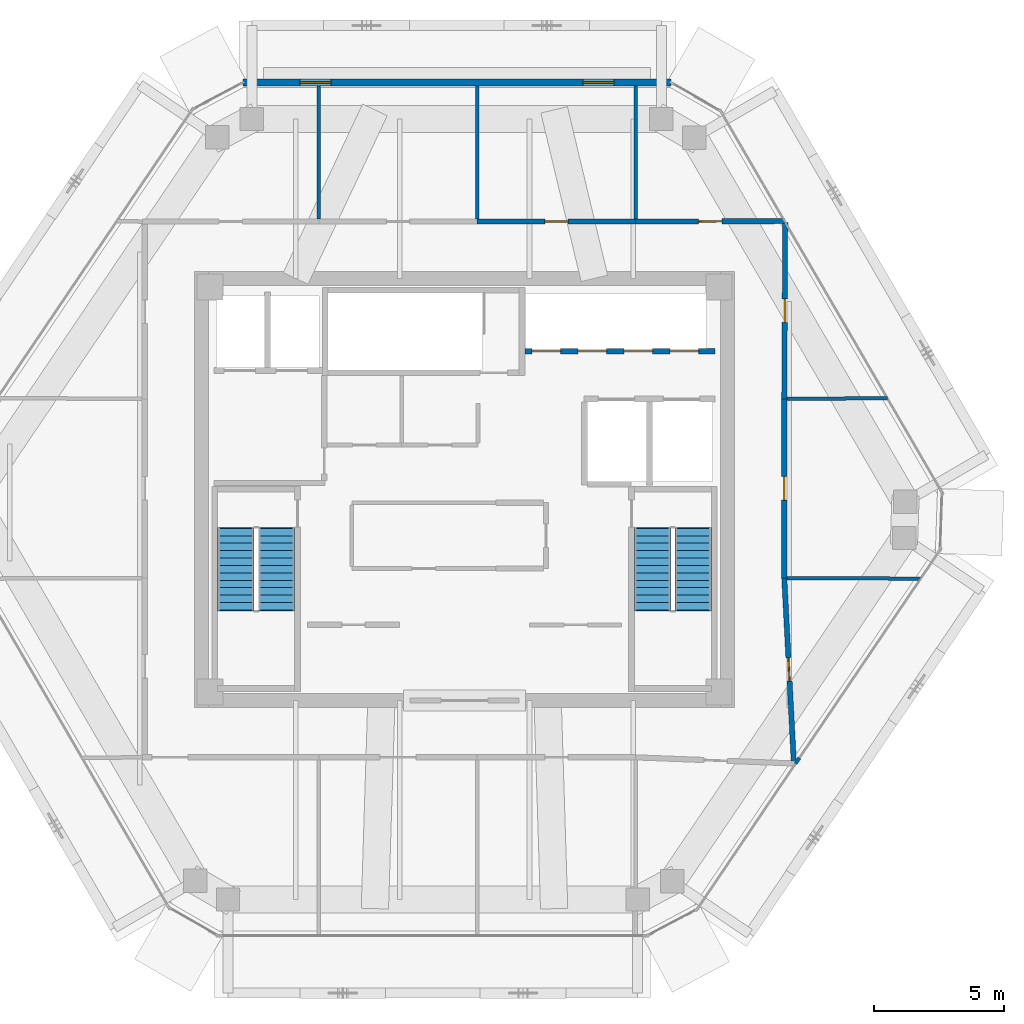
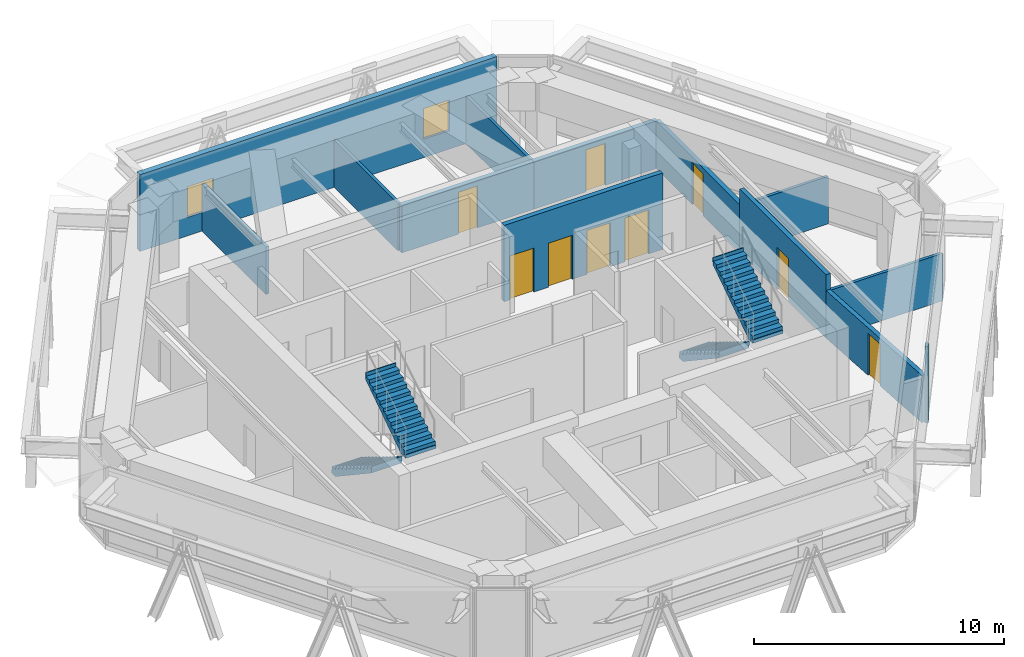
# One storey, part 12 of 13: 13 walls, 9 doors, 4 stair flights, 2 windows, 11 openings, 2 elements without a shape of their own.
"""IFC4 building model written with IfcOpenShell, lengths in metres."""

from ifc_helpers import new_model, si_unit, direction, frame, frame_2d, origin, place, context, subcontext, project, spatial, polyline, rectangle, outline, extrude, source, transform, mapped, material, layer, layer_set, type_object, type_shapes, element, fill, aggregate, save


model = new_model("IFC4")

# Units and contexts
model_context = context("Model", 3, precision=1e-05, world=origin(), true_north=direction((0.0, 1.0)))
body_context = subcontext(model_context, "Body", "Model", "MODEL_VIEW")
ifc_project = project(units=[si_unit("LENGTHUNIT", "METRE"), si_unit("AREAUNIT", "SQUARE_METRE"), si_unit("VOLUMEUNIT", "CUBIC_METRE"), si_unit("PLANEANGLEUNIT", "RADIAN"), si_unit("MASSUNIT", "GRAM", prefix="KILO")], contexts=[model_context])

# Site, building, storey
site_placement = place(None, origin())
site = spatial("IfcSite", under=ifc_project, at=site_placement, CompositionType="ELEMENT")
building_placement = place(site_placement, origin())
building = spatial("IfcBuilding", under=site, at=building_placement, Name="Durnholm Broadcast Tower", CompositionType="ELEMENT")
storey_placement = place(building_placement, frame((0.0, 0.0, 268.300048828125)))
storey = spatial("IfcBuildingStorey", under=building, at=storey_placement, Name="L75", CompositionType="ELEMENT", Elevation=268.300048828125)

# Wall, openings, windows
ifc_material_1 = material(Name="Precast Concrete C45/55", Category="concrete")
ifc_layer_1 = layer(ifc_material_1, 0.260009765625)
ifc_layer_set_1 = layer_set([ifc_layer_1], Name="Precast Concrete C45/55")
wall_type_1 = type_object("IfcWallType", Name="WALL-EXT-260", PredefinedType="SOLIDWALL", material=ifc_layer_set_1)
wall_1_placement = place(storey_placement, frame((-8.536376953125, 15.662109375, 0.0), z_axis=(0.0, 0.0, 1.0), x_axis=(1.0, 0.0, 0.0)))
wall_1 = element("IfcWall", 1, at=wall_1_placement, inside=storey, type_object=wall_type_1, Name="L75 north feature spandrel wall", PredefinedType="SOLIDWALL", context=body_context, shape_type="SweptSolid", body=[
    extrude(rectangle(XDim=16.490478515625, YDim=0.260009765625, at=frame_2d((8.2451171875, 0.0))), origin(), (0.0, 0.0, 1.0), 3.75),
])
opening_1_placement = place(wall_1_placement, frame((2.199951171875, 0.0, 0.89990234375)))
opening_1 = element("IfcOpeningElement", 2, at=opening_1_placement, cuts=wall_1, Name="Opening W5", PredefinedType="OPENING", context=body_context, shape_type="SweptSolid", body=[
    extrude(rectangle(XDim=1.199951171875, YDim=1.5, at=frame_2d((0.60009765625, 0.75))), frame((0.0, 0.14013671875, 0.0), z_axis=(0.0, -1.0, 0.0), x_axis=(1.0, 0.0, 0.0)), (0.0, 0.0, 1.0), 0.280029296875),
])
opening_2_placement = place(wall_1_placement, frame((13.090087890625, 0.0, 0.89990234375)))
opening_2 = element("IfcOpeningElement", 3, at=opening_2_placement, cuts=wall_1, Name="Opening W5", PredefinedType="OPENING", context=body_context, shape_type="SweptSolid", body=[
    extrude(rectangle(XDim=1.199951171875, YDim=1.5, at=frame_2d((0.60009765625, 0.75))), frame((0.0, 0.14013671875, 0.0), z_axis=(0.0, -1.0, 0.0), x_axis=(1.0, 0.0, 0.0)), (0.0, 0.0, 1.0), 0.280029296875),
])
ifc_material_2 = material(Name="Thermally Broken Aluminium and Laminated Glass", Category="aluminium")
ifc_layer_2 = layer(ifc_material_2, 0.06005859375)
ifc_layer_set_2 = layer_set([ifc_layer_2], Name="Thermally Broken Aluminium and Laminated Glass")
window_type = type_object("IfcWindowType", Name="WIN-W5", PartitioningType="SINGLE_PANEL", PredefinedType="WINDOW", material=ifc_layer_set_2)
shared_shape_1 = source(origin(), body_context, "Body", "SweptSolid", [
    extrude(rectangle(XDim=1.199951171875, YDim=1.5, at=frame_2d((0.60009765625, 0.75))), frame((0.0, 0.030029296875, 0.0), z_axis=(0.0, -1.0, 0.0), x_axis=(1.0, 0.0, 0.0)), (0.0, 0.0, 1.0), 0.06005859375),
])
type_shapes(window_type, [shared_shape_1])
window_1_placement = place(opening_1_placement, origin())
window_1 = element("IfcWindow", 4, at=window_1_placement, inside=storey, type_object=window_type, Name="L75 feature window 1", OverallHeight=1.5, OverallWidth=1.199951171875, PartitioningType="SINGLE_PANEL", PredefinedType="WINDOW", context=body_context, shape_type="MappedRepresentation", body=[
    mapped(shared_shape_1, transform((0.0, 0.0, 0.0), x_axis=(1.0, 0.0, 0.0), y_axis=(0.0, 1.0, 0.0), z_axis=(0.0, 0.0, 1.0), scale=1.0)),
])
fill(opening_1, window_1)
window_2_placement = place(opening_2_placement, origin())
window_2 = element("IfcWindow", 5, at=window_2_placement, inside=storey, type_object=window_type, Name="L75 feature window 2", OverallHeight=1.5, OverallWidth=1.199951171875, PartitioningType="SINGLE_PANEL", PredefinedType="WINDOW", context=body_context, shape_type="MappedRepresentation", body=[
    mapped(shared_shape_1, transform((0.0, 0.0, 0.0), x_axis=(1.0, 0.0, 0.0), y_axis=(0.0, 1.0, 0.0), z_axis=(0.0, 0.0, 1.0), scale=1.0)),
])
fill(opening_2, window_2)

# Wall, opening, door
ifc_material_3 = material(Name="Fire-Rated Gypsum Shaftwall", Category="concrete")
ifc_layer_3 = layer(ifc_material_3, 0.199951171875)
ifc_layer_set_3 = layer_set([ifc_layer_3], Name="Fire-Rated Gypsum Shaftwall")
wall_type_2 = type_object("IfcWallType", Name="WALL-LOB-200", PredefinedType="SOLIDWALL", material=ifc_layer_set_3)
wall_2_placement = place(storey_placement, frame((6.590087890625, 10.31005859375, 0.0), z_axis=(0.0, 0.0, 1.0), x_axis=(-1.0, 0.0, 0.0)))
wall_2 = element("IfcWall", 6, at=wall_2_placement, inside=storey, type_object=wall_type_2, Name="L75 Mechanical Plant Room - Condenser Water Pump Station corridor partition", PredefinedType="SOLIDWALL", context=body_context, shape_type="SweptSolid", body=[
    extrude(rectangle(XDim=6.10009765625, YDim=0.199951171875, at=frame_2d((3.050048828125, 0.0))), origin(), (0.0, 0.0, 1.0), 2.320068359375),
])
opening_3_placement = place(wall_2_placement, frame((2.60009765625, 0.0, 0.0)))
opening_3 = element("IfcOpeningElement", 7, at=opening_3_placement, cuts=wall_2, Name="Opening DC-60L", PredefinedType="OPENING", context=body_context, shape_type="SweptSolid", body=[
    extrude(rectangle(XDim=0.89990234375, YDim=2.050048828125, at=frame_2d((0.449951171875, 1.02490234375))), frame((0.0, 0.10986328125, 0.0), z_axis=(0.0, -1.0, 0.0), x_axis=(1.0, 0.0, 0.0)), (0.0, 0.0, 1.0), 0.219970703125),
])
ifc_material_4 = material(Name="Fire-Rated Core Service Door", Category="steel")
ifc_layer_4 = layer(ifc_material_4, 0.050048828125)
ifc_layer_set_4 = layer_set([ifc_layer_4], Name="Fire-Rated Core Service Door")
door_type_1 = type_object("IfcDoorType", Name="DOOR-CORE-FD60-L", OperationType="NOTDEFINED", PredefinedType="DOOR", material=ifc_layer_set_4)
shared_shape_2 = source(origin(), body_context, "Body", "SweptSolid", [
    extrude(rectangle(XDim=0.89990234375, YDim=2.050048828125, at=frame_2d((0.449951171875, 1.02490234375))), frame((0.0, 0.02490234375, 0.0), z_axis=(0.0, -1.0, 0.0), x_axis=(1.0, 0.0, 0.0)), (0.0, 0.0, 1.0), 0.050048828125),
])
type_shapes(door_type_1, [shared_shape_2])
door_1_placement = place(opening_3_placement, origin())
door_1 = element("IfcDoor", 8, at=door_1_placement, inside=storey, type_object=door_type_1, Name="L75 Mechanical Plant Room - Condenser Water Pump Station entrance door", OperationType="SINGLE_SWING_LEFT", OverallHeight=2.050048828125, OverallWidth=0.89990234375, PredefinedType="DOOR", context=body_context, shape_type="MappedRepresentation", body=[
    mapped(shared_shape_2, transform((0.0, 0.0, 0.0), x_axis=(1.0, 0.0, 0.0), y_axis=(0.0, 1.0, 0.0), z_axis=(0.0, 0.0, 1.0), scale=1.0)),
])
fill(opening_3, door_1)

wall_3_placement = place(storey_placement, frame((12.317626953125, 10.330078125, 0.0), z_axis=(0.0, 0.0, 1.0), x_axis=(-0.999994039535, -0.003452664842, 0.0)))
wall_3 = element("IfcWall", 9, at=wall_3_placement, inside=storey, type_object=wall_type_2, Name="L75 Mechanical Plant Room - Hydronic Heating Boiler corridor partition", PredefinedType="SOLIDWALL", context=body_context, shape_type="SweptSolid", body=[
    extrude(rectangle(XDim=5.7275390625, YDim=0.199951171875, at=frame_2d((2.86376953125, 0.0))), origin(), (0.0, 0.0, 1.0), 2.320068359375),
])
opening_4_placement = place(wall_3_placement, frame((2.413818359375, 0.0, 0.0)))
opening_4 = element("IfcOpeningElement", 10, at=opening_4_placement, cuts=wall_3, Name="Opening DC-60R", PredefinedType="OPENING", context=body_context, shape_type="SweptSolid", body=[
    extrude(rectangle(XDim=0.89990234375, YDim=2.050048828125, at=frame_2d((0.449951171875, 1.02490234375))), frame((0.0, 0.10986328125, 0.0), z_axis=(0.0, -1.0, 0.0), x_axis=(1.0, 0.0, 0.0)), (0.0, 0.0, 1.0), 0.219970703125),
])
ifc_layer_5 = layer(ifc_material_4, 0.050048828125)
ifc_layer_set_5 = layer_set([ifc_layer_5], Name="Fire-Rated Core Service Door")
door_type_2 = type_object("IfcDoorType", Name="DOOR-CORE-FD60-R", OperationType="NOTDEFINED", PredefinedType="DOOR", material=ifc_layer_set_5)
shared_shape_3 = source(origin(), body_context, "Body", "SweptSolid", [
    extrude(rectangle(XDim=0.89990234375, YDim=2.050048828125, at=frame_2d((0.449951171875, 1.02490234375))), frame((0.0, 0.02490234375, 0.0), z_axis=(0.0, -1.0, 0.0), x_axis=(1.0, 0.0, 0.0)), (0.0, 0.0, 1.0), 0.050048828125),
])
type_shapes(door_type_2, [shared_shape_3])
door_2_placement = place(opening_4_placement, origin())
door_2 = element("IfcDoor", 11, at=door_2_placement, inside=storey, type_object=door_type_2, Name="L75 Mechanical Plant Room - Hydronic Heating Boiler entrance door", OperationType="SINGLE_SWING_RIGHT", OverallHeight=2.050048828125, OverallWidth=0.89990234375, PredefinedType="DOOR", context=body_context, shape_type="MappedRepresentation", body=[
    mapped(shared_shape_3, transform((0.0, 0.0, 0.0), x_axis=(1.0, 0.0, 0.0), y_axis=(0.0, 1.0, 0.0), z_axis=(0.0, 0.0, 1.0), scale=1.0)),
])
fill(opening_4, door_2)

wall_4_placement = place(storey_placement, frame((12.672119140625, -10.442626953125, 0.0), z_axis=(0.0, 0.0, 1.0), x_axis=(-0.051414240227, 0.998677413333, 0.0)))
wall_4 = element("IfcWall", 12, at=wall_4_placement, inside=storey, type_object=wall_type_2, Name="L75 Mechanical Plant Room - Electrical Switchgear East corridor partition", PredefinedType="SOLIDWALL", context=body_context, shape_type="SweptSolid", body=[
    extrude(rectangle(XDim=7.0419921875, YDim=0.199951171875, at=frame_2d((3.52099609375, 0.0))), origin(), (0.0, 0.0, 1.0), 2.320068359375),
])
opening_5_placement = place(wall_4_placement, frame((3.071044921875, 0.0, 0.0)))
opening_5 = element("IfcOpeningElement", 13, at=opening_5_placement, cuts=wall_4, Name="Opening DC-60L", PredefinedType="OPENING", context=body_context, shape_type="SweptSolid", body=[
    extrude(rectangle(XDim=0.89990234375, YDim=2.050048828125, at=frame_2d((0.449951171875, 1.02490234375))), frame((0.0, 0.10986328125, 0.0), z_axis=(0.0, -1.0, 0.0), x_axis=(1.0, 0.0, 0.0)), (0.0, 0.0, 1.0), 0.219970703125),
])
door_3_placement = place(opening_5_placement, origin())
door_3 = element("IfcDoor", 14, at=door_3_placement, inside=storey, type_object=door_type_1, Name="L75 Mechanical Plant Room - Electrical Switchgear East entrance door", OperationType="SINGLE_SWING_LEFT", OverallHeight=2.050048828125, OverallWidth=0.89990234375, PredefinedType="DOOR", context=body_context, shape_type="MappedRepresentation", body=[
    mapped(shared_shape_2, transform((0.0, 0.0, 0.0), x_axis=(1.0, 0.0, 0.0), y_axis=(0.0, 1.0, 0.0), z_axis=(0.0, 0.0, 1.0), scale=1.0)),
])
fill(opening_5, door_3)

wall_5_placement = place(storey_placement, frame((12.31005859375, -3.409912109375, 0.0), z_axis=(0.0, 0.0, 1.0), x_axis=(0.0, 1.0, 0.0)))
wall_5 = element("IfcWall", 15, at=wall_5_placement, inside=storey, type_object=wall_type_2, Name="L75 Mechanical Plant Room - Medium Voltage Transformer corridor partition", PredefinedType="SOLIDWALL", context=body_context, shape_type="SweptSolid", body=[
    extrude(rectangle(XDim=6.89990234375, YDim=0.199951171875, at=frame_2d((3.449951171875, 0.0))), origin(), (0.0, 0.0, 1.0), 3.09326171875),
])
opening_6_placement = place(wall_5_placement, frame((3.0, 0.0, 0.0)))
opening_6 = element("IfcOpeningElement", 16, at=opening_6_placement, cuts=wall_5, Name="Opening DC-60R", PredefinedType="OPENING", context=body_context, shape_type="SweptSolid", body=[
    extrude(rectangle(XDim=0.89990234375, YDim=2.050048828125, at=frame_2d((0.449951171875, 1.02490234375))), frame((0.0, 0.10986328125, 0.0), z_axis=(0.0, -1.0, 0.0), x_axis=(1.0, 0.0, 0.0)), (0.0, 0.0, 1.0), 0.219970703125),
])
door_4_placement = place(opening_6_placement, origin())
door_4 = element("IfcDoor", 17, at=door_4_placement, inside=storey, type_object=door_type_2, Name="L75 Mechanical Plant Room - Medium Voltage Transformer entrance door", OperationType="SINGLE_SWING_RIGHT", OverallHeight=2.050048828125, OverallWidth=0.89990234375, PredefinedType="DOOR", context=body_context, shape_type="MappedRepresentation", body=[
    mapped(shared_shape_3, transform((0.0, 0.0, 0.0), x_axis=(1.0, 0.0, 0.0), y_axis=(0.0, 1.0, 0.0), z_axis=(0.0, 0.0, 1.0), scale=1.0)),
])
fill(opening_6, door_4)

wall_6_placement = place(storey_placement, frame((12.310302734375, 3.489990234375, 0.0), z_axis=(0.0, 0.0, 1.0), x_axis=(0.005031021246, 0.999987344333, 0.0)))
wall_6 = element("IfcWall", 18, at=wall_6_placement, inside=storey, type_object=wall_type_2, Name="L75 Mechanical Plant Room - Emergency Smoke Exhaust Fan corridor partition", PredefinedType="SOLIDWALL", context=body_context, shape_type="SweptSolid", body=[
    extrude(rectangle(XDim=6.793701171875, YDim=0.199951171875, at=frame_2d((3.39697265625, 0.0))), origin(), (0.0, 0.0, 1.0), 2.320068359375),
])
opening_7_placement = place(wall_6_placement, frame((2.94677734375, 0.0, 0.0)))
opening_7 = element("IfcOpeningElement", 19, at=opening_7_placement, cuts=wall_6, Name="Opening DC-60L", PredefinedType="OPENING", context=body_context, shape_type="SweptSolid", body=[
    extrude(rectangle(XDim=0.89990234375, YDim=2.050048828125, at=frame_2d((0.449951171875, 1.02490234375))), frame((0.0, 0.10986328125, 0.0), z_axis=(0.0, -1.0, 0.0), x_axis=(1.0, 0.0, 0.0)), (0.0, 0.0, 1.0), 0.219970703125),
])
door_5_placement = place(opening_7_placement, origin())
door_5 = element("IfcDoor", 20, at=door_5_placement, inside=storey, type_object=door_type_1, Name="L75 Mechanical Plant Room - Emergency Smoke Exhaust Fan entrance door", OperationType="SINGLE_SWING_LEFT", OverallHeight=2.050048828125, OverallWidth=0.89990234375, PredefinedType="DOOR", context=body_context, shape_type="MappedRepresentation", body=[
    mapped(shared_shape_2, transform((0.0, 0.0, 0.0), x_axis=(1.0, 0.0, 0.0), y_axis=(0.0, 1.0, 0.0), z_axis=(0.0, 0.0, 1.0), scale=1.0)),
])
fill(opening_7, door_5)

# Walls
ifc_material_5 = material(Name="Gypsum Metal Stud Partition", Category="concrete")
ifc_layer_6 = layer(ifc_material_5, 0.135009765625)
ifc_layer_set_6 = layer_set([ifc_layer_6], Name="Gypsum Metal Stud Partition")
wall_type_3 = type_object("IfcWallType", Name="WALL-PART-135", PredefinedType="PARTITIONING", material=ifc_layer_set_6)
for number, where, z_axis, x_axis, name in (
    (21, (-5.610107421875, 15.527099609375, 0.0), (0.0, 0.0, 1.0), (0.0, -1.0, 0.0), "L75 room dividing partition 7.8"),
    (22, (0.489990234375, 15.527099609375, 0.0), (0.0, 0.0, 1.0), (0.0, -1.0, 0.0), "L75 room dividing partition 8.9"),
):
    element("IfcWall", number, at=place(storey_placement, frame(where, z_axis=z_axis, x_axis=x_axis)), inside=storey, type_object=wall_type_3, Name=name, PredefinedType="PARTITIONING", context=body_context, shape_type="SweptSolid", body=[
        extrude(rectangle(XDim=5.113037109375, YDim=0.135009765625, at=frame_2d((2.556640625, 0.0))), origin(), (0.0, 0.0, 1.0), 2.320068359375),
    ])
wall_7_placement = place(storey_placement, frame((6.590087890625, 15.527099609375, 0.0), z_axis=(0.0, 0.0, 1.0), x_axis=(0.0, -1.0, 0.0)))
element("IfcWall", 23, at=wall_7_placement, inside=storey, type_object=wall_type_3, Name="L75 room dividing partition 9.10", PredefinedType="PARTITIONING", context=body_context, shape_type="SweptSolid", body=[
    extrude(rectangle(XDim=5.11279296875, YDim=0.135009765625, at=frame_2d((2.556396484375, 0.0))), origin(), (0.0, 0.0, 1.0), 2.320068359375),
])
wall_8_placement = place(storey_placement, frame((12.744384765625, -10.549560546875, 0.0), z_axis=(0.0, 0.0, 1.0), x_axis=(0.56006489544, 0.828448738846, 0.0)))
element("IfcWall", 24, at=wall_8_placement, inside=storey, type_object=wall_type_3, Name="L75 room dividing partition 14.15", PredefinedType="PARTITIONING", context=body_context, shape_type="SweptSolid", body=[
    extrude(rectangle(XDim=0.261962890625, YDim=0.135009765625, at=frame_2d((0.130859375, 0.0))), origin(), (0.0, 0.0, 1.0), 3.73486328125),
])
wall_9_placement = place(storey_placement, frame((12.414306640625, -3.410400390625, 0.0), z_axis=(0.0, 0.0, 1.0), x_axis=(0.999990868706, -0.004273465251, 0.0)))
element("IfcWall", 25, at=wall_9_placement, inside=storey, type_object=wall_type_3, Name="L75 room dividing partition 15.16", PredefinedType="PARTITIONING", context=body_context, shape_type="SweptSolid", body=[
    extrude(rectangle(XDim=5.1416015625, YDim=0.135009765625, at=frame_2d((2.57080078125, 0.0))), origin(), (0.0, 0.0, 1.0), 2.320068359375),
])
wall_10_placement = place(storey_placement, frame((12.414306640625, 3.490478515625, 0.0), z_axis=(0.0, 0.0, 1.0), x_axis=(0.999987207709, 0.005058104237, 0.0)))
element("IfcWall", 26, at=wall_10_placement, inside=storey, type_object=wall_type_3, Name="L75 room dividing partition 16.17", PredefinedType="PARTITIONING", context=body_context, shape_type="SweptSolid", body=[
    extrude(rectangle(XDim=3.861328125, YDim=0.135009765625, at=frame_2d((1.9306640625, 0.0))), origin(), (0.0, 0.0, 1.0), 2.320068359375),
])

# Wall, openings, doors
ifc_material_6 = material(Name="Concrete Blockwork C30/37", Category="masonry")
ifc_layer_7 = layer(ifc_material_6, 0.219970703125)
ifc_layer_set_7 = layer_set([ifc_layer_7], Name="Concrete Blockwork C30/37")
wall_type_4 = type_object("IfcWallType", Name="WALL-SHAFT-220", PredefinedType="SOLIDWALL", material=ifc_layer_set_7)
wall_11_placement = place(storey_placement, frame((2.324951171875, 5.320068359375, 0.0), z_axis=(0.0, 0.0, 1.0), x_axis=(1.0, 0.0, 0.0)))
wall_11 = element("IfcWall", 27, at=wall_11_placement, inside=storey, type_object=wall_type_4, Name="L75 high-rise bank P3 south front wall", PredefinedType="SOLIDWALL", context=body_context, shape_type="SweptSolid", body=[
    extrude(rectangle(XDim=7.324951171875, YDim=0.219970703125, at=frame_2d((3.66259765625, 0.0))), origin(), (0.0, 0.0, 1.0), 3.73486328125),
])
opening_8_placement = place(wall_11_placement, frame((0.27490234375, 0.0, 0.0)))
opening_8 = element("IfcOpeningElement", 28, at=opening_8_placement, cuts=wall_11, Name="Opening LD-LP3-1", PredefinedType="OPENING", context=body_context, shape_type="SweptSolid", body=[
    extrude(rectangle(XDim=1.10009765625, YDim=2.14990234375, at=frame_2d((0.550048828125, 1.074951171875))), frame((0.0, 0.1201171875, 0.0), z_axis=(0.0, -1.0, 0.0), x_axis=(1.0, 0.0, 0.0)), (0.0, 0.0, 1.0), 0.239990234375),
])
opening_9_placement = place(wall_11_placement, frame((2.044921875, 0.0, 0.0)))
opening_9 = element("IfcOpeningElement", 29, at=opening_9_placement, cuts=wall_11, Name="Opening LD-LP3-2", PredefinedType="OPENING", context=body_context, shape_type="SweptSolid", body=[
    extrude(rectangle(XDim=1.10009765625, YDim=2.14990234375, at=frame_2d((0.550048828125, 1.074951171875))), frame((0.0, 0.1201171875, 0.0), z_axis=(0.0, -1.0, 0.0), x_axis=(1.0, 0.0, 0.0)), (0.0, 0.0, 1.0), 0.239990234375),
])
opening_10_placement = place(wall_11_placement, frame((3.81494140625, 0.0, 0.0)))
opening_10 = element("IfcOpeningElement", 30, at=opening_10_placement, cuts=wall_11, Name="Opening LD-LP3-3", PredefinedType="OPENING", context=body_context, shape_type="SweptSolid", body=[
    extrude(rectangle(XDim=1.10009765625, YDim=2.14990234375, at=frame_2d((0.550048828125, 1.074951171875))), frame((0.0, 0.1201171875, 0.0), z_axis=(0.0, -1.0, 0.0), x_axis=(1.0, 0.0, 0.0)), (0.0, 0.0, 1.0), 0.239990234375),
])
opening_11_placement = place(wall_11_placement, frame((5.5849609375, 0.0, 0.0)))
opening_11 = element("IfcOpeningElement", 31, at=opening_11_placement, cuts=wall_11, Name="Opening LD-LP3-4", PredefinedType="OPENING", context=body_context, shape_type="SweptSolid", body=[
    extrude(rectangle(XDim=1.10009765625, YDim=2.14990234375, at=frame_2d((0.550048828125, 1.074951171875))), frame((0.0, 0.1201171875, 0.0), z_axis=(0.0, -1.0, 0.0), x_axis=(1.0, 0.0, 0.0)), (0.0, 0.0, 1.0), 0.239990234375),
])
ifc_material_7 = material(Name="Stainless Steel Sliding Elevator Landing Door", Category="steel")
ifc_layer_8 = layer(ifc_material_7, 0.050048828125)
ifc_layer_set_8 = layer_set([ifc_layer_8], Name="Stainless Steel Sliding Elevator Landing Door")
door_type_3 = type_object("IfcDoorType", Name="DOOR-LIFT-PAX", OperationType="DOUBLE_DOOR_SLIDING", PredefinedType="DOOR", material=ifc_layer_set_8)
shared_shape_4 = source(origin(), body_context, "Body", "SweptSolid", [
    extrude(rectangle(XDim=1.10009765625, YDim=2.14990234375, at=frame_2d((0.550048828125, 1.074951171875))), frame((0.0, 0.02490234375, 0.0), z_axis=(0.0, -1.0, 0.0), x_axis=(1.0, 0.0, 0.0)), (0.0, 0.0, 1.0), 0.050048828125),
])
type_shapes(door_type_3, [shared_shape_4])
door_6_placement = place(opening_8_placement, origin())
door_6 = element("IfcDoor", 32, at=door_6_placement, inside=storey, type_object=door_type_3, Name="L75 high-rise elevator LP3-1 sliding landing door", OperationType="DOUBLE_DOOR_SLIDING", OverallHeight=2.14990234375, OverallWidth=1.10009765625, PredefinedType="DOOR", context=body_context, shape_type="MappedRepresentation", body=[
    mapped(shared_shape_4, transform((0.0, 0.0, 0.0), x_axis=(1.0, 0.0, 0.0), y_axis=(0.0, 1.0, 0.0), z_axis=(0.0, 0.0, 1.0), scale=1.0)),
])
fill(opening_8, door_6)
door_7_placement = place(opening_9_placement, origin())
door_7 = element("IfcDoor", 33, at=door_7_placement, inside=storey, type_object=door_type_3, Name="L75 high-rise elevator LP3-2 sliding landing door", OperationType="DOUBLE_DOOR_SLIDING", OverallHeight=2.14990234375, OverallWidth=1.10009765625, PredefinedType="DOOR", context=body_context, shape_type="MappedRepresentation", body=[
    mapped(shared_shape_4, transform((0.0, 0.0, 0.0), x_axis=(1.0, 0.0, 0.0), y_axis=(0.0, 1.0, 0.0), z_axis=(0.0, 0.0, 1.0), scale=1.0)),
])
fill(opening_9, door_7)
door_8_placement = place(opening_10_placement, origin())
door_8 = element("IfcDoor", 34, at=door_8_placement, inside=storey, type_object=door_type_3, Name="L75 high-rise elevator LP3-3 sliding landing door", OperationType="DOUBLE_DOOR_SLIDING", OverallHeight=2.14990234375, OverallWidth=1.10009765625, PredefinedType="DOOR", context=body_context, shape_type="MappedRepresentation", body=[
    mapped(shared_shape_4, transform((0.0, 0.0, 0.0), x_axis=(1.0, 0.0, 0.0), y_axis=(0.0, 1.0, 0.0), z_axis=(0.0, 0.0, 1.0), scale=1.0)),
])
fill(opening_10, door_8)
door_9_placement = place(opening_11_placement, origin())
door_9 = element("IfcDoor", 35, at=door_9_placement, inside=storey, type_object=door_type_3, Name="L75 high-rise elevator LP3-4 sliding landing door", OperationType="DOUBLE_DOOR_SLIDING", OverallHeight=2.14990234375, OverallWidth=1.10009765625, PredefinedType="DOOR", context=body_context, shape_type="MappedRepresentation", body=[
    mapped(shared_shape_4, transform((0.0, 0.0, 0.0), x_axis=(1.0, 0.0, 0.0), y_axis=(0.0, 1.0, 0.0), z_axis=(0.0, 0.0, 1.0), scale=1.0)),
])
fill(opening_11, door_9)

# Stair, stair flights
ifc_material_8 = material(Name="Concrete C50/60", Category="concrete")
stair_type = type_object("IfcStairType", Name="STAIR-DL-24R1750", PredefinedType="HALF_TURN_STAIR", material=ifc_material_8)
stair_1_placement = place(storey_placement, origin())
stair_1 = element("IfcStair", 36, at=stair_1_placement, inside=storey, type_object=stair_type, Name="L75 ST-1", PredefinedType="HALF_TURN_STAIR")
stair_flight_type = type_object("IfcStairFlightType", Name="FLIGHT-DL-24R1750", PredefinedType="STRAIGHT", material=ifc_material_8)
stair_flight_1_placement = place(storey_placement, frame((-8.800048828125, -1.5, 0.0), z_axis=(0.0, 0.0, 1.0), x_axis=(0.0, -1.0, 0.0)))
stair_flight_1 = element("IfcStairFlight", 37, at=stair_flight_1_placement, type_object=stair_flight_type, Name="ST-1 flight 1", NumberOfRisers=12, NumberOfTreads=11, PredefinedType="STRAIGHT", RiserHeight=0.175, TreadLength=0.285, context=body_context, shape_type="SweptSolid", body=[
    extrude(outline(polyline([(-0.0400390625, -0.14990234375), (-0.0400390625, 0.0), (0.0, 0.0), (0.0, 0.175048828125), (0.284912109375, 0.175048828125), (0.284912109375, 0.35009765625), (0.570068359375, 0.35009765625), (0.570068359375, 0.52490234375), (0.85498046875, 0.52490234375), (0.85498046875, 0.699951171875), (1.139892578125, 0.699951171875), (1.139892578125, 0.875), (1.425048828125, 0.875), (1.425048828125, 1.050048828125), (1.7099609375, 1.050048828125), (1.7099609375, 1.22509765625), (1.9951171875, 1.22509765625), (1.9951171875, 1.39990234375), (2.280029296875, 1.39990234375), (2.280029296875, 1.574951171875), (2.56494140625, 1.574951171875), (2.56494140625, 1.75), (2.85009765625, 1.75), (2.85009765625, 1.925048828125), (3.135009765625, 1.925048828125), (3.135009765625, 2.10009765625), (3.175048828125, 2.10009765625), (3.175048828125, 1.9501953125), (3.135009765625, 1.7490234375), (0.286376953125, -0.14990234375), (-0.0400390625, -0.14990234375)])), frame((0.0, 0.699951171875, 0.0), z_axis=(0.0, -1.0, 0.0), x_axis=(1.0, 0.0, 0.0)), (0.0, 0.0, 1.0), 1.39990234375),
])
stair_flight_2_placement = place(storey_placement, frame((-7.239990234375, -4.635009765625, 2.099853515625), z_axis=(0.0, 0.0, 1.0), x_axis=(0.0, 1.0, 0.0)))
stair_flight_2 = element("IfcStairFlight", 38, at=stair_flight_2_placement, type_object=stair_flight_type, Name="ST-1 flight 2", NumberOfRisers=12, NumberOfTreads=11, PredefinedType="STRAIGHT", RiserHeight=0.175, TreadLength=0.285, context=body_context, shape_type="SweptSolid", body=[
    extrude(outline(polyline([(-0.0400390625, -0.14990234375), (-0.0400390625, 0.0), (0.0, 0.0), (0.0, 0.175048828125), (0.284912109375, 0.175048828125), (0.284912109375, 0.35009765625), (0.570068359375, 0.35009765625), (0.570068359375, 0.52490234375), (0.85498046875, 0.52490234375), (0.85498046875, 0.699951171875), (1.139892578125, 0.699951171875), (1.139892578125, 0.875), (1.425048828125, 0.875), (1.425048828125, 1.050048828125), (1.7099609375, 1.050048828125), (1.7099609375, 1.22509765625), (1.9951171875, 1.22509765625), (1.9951171875, 1.39990234375), (2.280029296875, 1.39990234375), (2.280029296875, 1.574951171875), (2.56494140625, 1.574951171875), (2.56494140625, 1.75), (2.85009765625, 1.75), (2.85009765625, 1.925048828125), (3.135009765625, 1.925048828125), (3.135009765625, 2.10009765625), (3.175048828125, 2.10009765625), (3.175048828125, 1.9501953125), (3.135009765625, 1.7490234375), (0.286376953125, -0.14990234375), (-0.0400390625, -0.14990234375)])), frame((0.0, 0.699951171875, 0.0), z_axis=(0.0, -1.0, 0.0), x_axis=(1.0, 0.0, 0.0)), (0.0, 0.0, 1.0), 1.39990234375),
])
aggregate(stair_1, [stair_flight_1, stair_flight_2])

stair_2_placement = place(storey_placement, origin())
stair_2 = element("IfcStair", 39, at=stair_2_placement, inside=storey, type_object=stair_type, Name="L75 ST-2", PredefinedType="HALF_TURN_STAIR")
stair_flight_3_placement = place(storey_placement, frame((7.239990234375, -1.5, 0.0), z_axis=(0.0, 0.0, 1.0), x_axis=(0.0, -1.0, 0.0)))
stair_flight_3 = element("IfcStairFlight", 40, at=stair_flight_3_placement, type_object=stair_flight_type, Name="ST-2 flight 1", NumberOfRisers=12, NumberOfTreads=11, PredefinedType="STRAIGHT", RiserHeight=0.175, TreadLength=0.285, context=body_context, shape_type="SweptSolid", body=[
    extrude(outline(polyline([(-0.0400390625, -0.14990234375), (-0.0400390625, 0.0), (0.0, 0.0), (0.0, 0.175048828125), (0.284912109375, 0.175048828125), (0.284912109375, 0.35009765625), (0.570068359375, 0.35009765625), (0.570068359375, 0.52490234375), (0.85498046875, 0.52490234375), (0.85498046875, 0.699951171875), (1.139892578125, 0.699951171875), (1.139892578125, 0.875), (1.425048828125, 0.875), (1.425048828125, 1.050048828125), (1.7099609375, 1.050048828125), (1.7099609375, 1.22509765625), (1.9951171875, 1.22509765625), (1.9951171875, 1.39990234375), (2.280029296875, 1.39990234375), (2.280029296875, 1.574951171875), (2.56494140625, 1.574951171875), (2.56494140625, 1.75), (2.85009765625, 1.75), (2.85009765625, 1.925048828125), (3.135009765625, 1.925048828125), (3.135009765625, 2.10009765625), (3.175048828125, 2.10009765625), (3.175048828125, 1.9501953125), (3.135009765625, 1.7490234375), (0.286376953125, -0.14990234375), (-0.0400390625, -0.14990234375)])), frame((0.0, 0.699951171875, 0.0), z_axis=(0.0, -1.0, 0.0), x_axis=(1.0, 0.0, 0.0)), (0.0, 0.0, 1.0), 1.39990234375),
])
stair_flight_4_placement = place(storey_placement, frame((8.800048828125, -4.635009765625, 2.099853515625), z_axis=(0.0, 0.0, 1.0), x_axis=(0.0, 1.0, 0.0)))
stair_flight_4 = element("IfcStairFlight", 41, at=stair_flight_4_placement, type_object=stair_flight_type, Name="ST-2 flight 2", NumberOfRisers=12, NumberOfTreads=11, PredefinedType="STRAIGHT", RiserHeight=0.175, TreadLength=0.285, context=body_context, shape_type="SweptSolid", body=[
    extrude(outline(polyline([(-0.0400390625, -0.14990234375), (-0.0400390625, 0.0), (0.0, 0.0), (0.0, 0.175048828125), (0.284912109375, 0.175048828125), (0.284912109375, 0.35009765625), (0.570068359375, 0.35009765625), (0.570068359375, 0.52490234375), (0.85498046875, 0.52490234375), (0.85498046875, 0.699951171875), (1.139892578125, 0.699951171875), (1.139892578125, 0.875), (1.425048828125, 0.875), (1.425048828125, 1.050048828125), (1.7099609375, 1.050048828125), (1.7099609375, 1.22509765625), (1.9951171875, 1.22509765625), (1.9951171875, 1.39990234375), (2.280029296875, 1.39990234375), (2.280029296875, 1.574951171875), (2.56494140625, 1.574951171875), (2.56494140625, 1.75), (2.85009765625, 1.75), (2.85009765625, 1.925048828125), (3.135009765625, 1.925048828125), (3.135009765625, 2.10009765625), (3.175048828125, 2.10009765625), (3.175048828125, 1.9501953125), (3.135009765625, 1.7490234375), (0.286376953125, -0.14990234375), (-0.0400390625, -0.14990234375)])), frame((0.0, 0.699951171875, 0.0), z_axis=(0.0, -1.0, 0.0), x_axis=(1.0, 0.0, 0.0)), (0.0, 0.0, 1.0), 1.39990234375),
])
aggregate(stair_2, [stair_flight_3, stair_flight_4])

save(model, "model.ifc")
